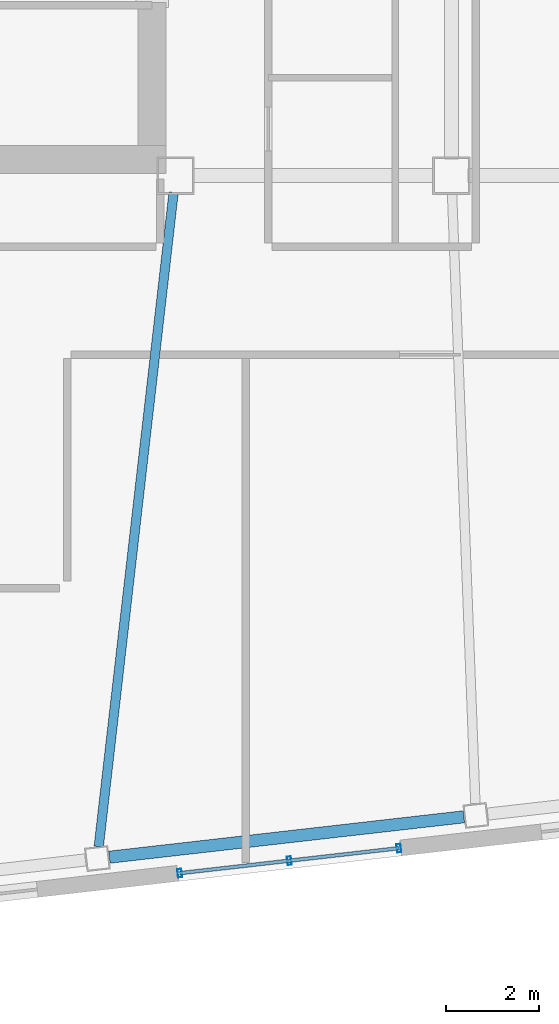
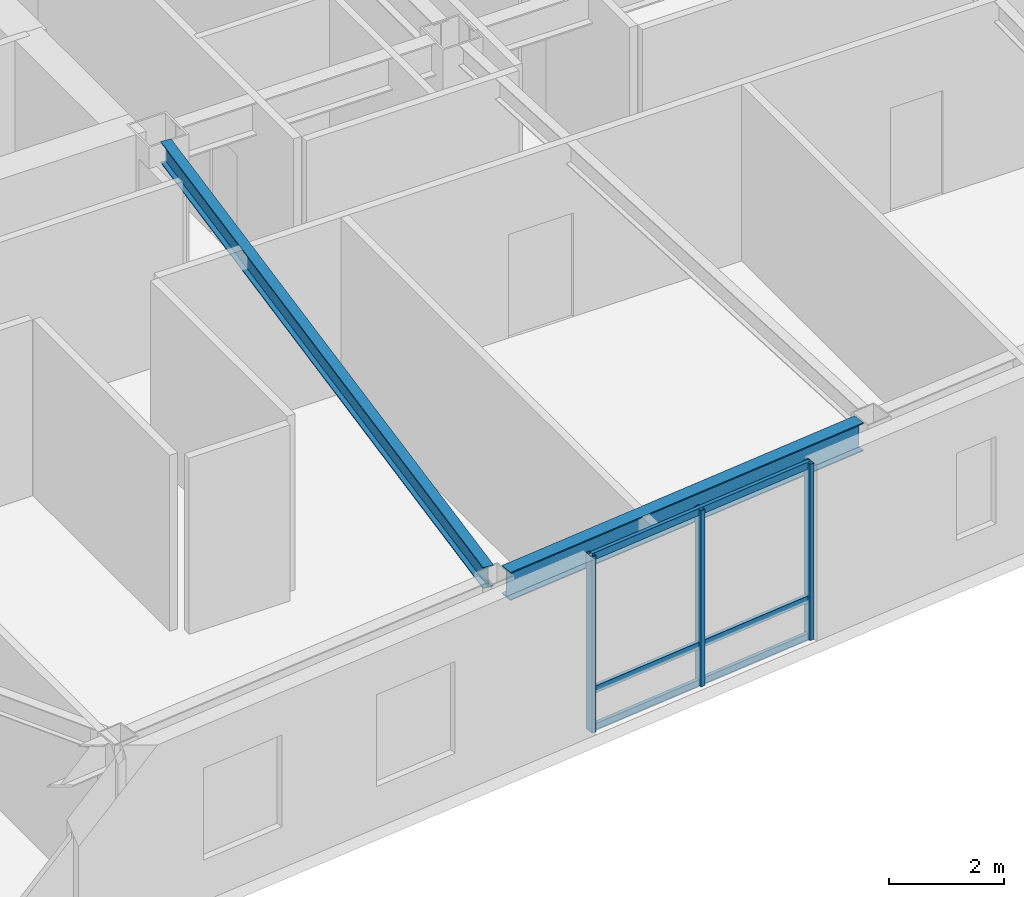
# One storey, part 4 of 20: 6 members, 2 beams, 1 element without a shape of its own.
"""IFC4 building model written with IfcOpenShell, lengths in metres."""

import ifcopenshell
import ifcopenshell.guid

model = None  # the IFC model being written
_history = None  # IfcOwnerHistory: only IFC2X3 demands one
_inside = {}  # id of a spatial element -> (the spatial element, [elements in it])
_under = {}  # id of a project, library or spatial element -> (it, [spatial elements below it])
_declared = {}  # id of a project -> (the project, [libraries it declares])
_typed = {}  # id of a type object -> (the type object, [elements of that type])
_made_of = {}  # id of a material, layer set ... -> (it, [elements and type objects made of it])


def new_model(schema):
    """Start an empty IFC model of exactly this schema.

    Asked for "IFC4X3", IfcOpenShell would pick the latest addendum, in which some entities
    have other attributes; the version numbers below select the first issue.
    IFC2X3 requires an IfcOwnerHistory on every rooted entity: one is made here for all.
    """
    global model, _history
    if schema == "IFC4X3":
        model = ifcopenshell.file(schema_version=(4, 3, 0, 0))
    else:
        model = ifcopenshell.file(schema=schema)
    _inside.clear()
    _under.clear()
    _declared.clear()
    _typed.clear()
    _made_of.clear()
    _history = None
    if model.schema == "IFC2X3":
        org = make("IfcOrganization", Name="unknown")
        user = make(
            "IfcPersonAndOrganization",
            ThePerson=make("IfcPerson", FamilyName="unknown"),
            TheOrganization=org,
        )
        app = make(
            "IfcApplication",
            ApplicationDeveloper=org,
            Version="unknown",
            ApplicationFullName="unknown",
            ApplicationIdentifier="unknown",
        )
        _history = make(
            "IfcOwnerHistory",
            OwningUser=user,
            OwningApplication=app,
            ChangeAction="ADDED",
            CreationDate=0,
        )
    return model


def make(cls, **values):
    """One entity of the class cls with the attributes given. An attribute that is None is left unset."""
    return model.create_entity(
        cls, **{name: value for name, value in values.items() if value is not None}
    )


def rooted(cls, **values):
    """An entity with a GlobalId (a new one), such as an element, a storey or a relation."""
    return make(cls, GlobalId=ifcopenshell.guid.new(), OwnerHistory=_history, **values)


def si_unit(unit_type, name, prefix=None):
    """IfcSIUnit, for example si_unit("LENGTHUNIT", "METRE", prefix="MILLI")."""
    return make("IfcSIUnit", UnitType=unit_type, Prefix=prefix, Name=name)


def assignment(units):
    """IfcUnitAssignment: the units of a project."""
    return None if units is None else make("IfcUnitAssignment", Units=units)


def point(xyz):
    """IfcCartesianPoint."""
    return None if xyz is None else make("IfcCartesianPoint", Coordinates=xyz)


def direction(xyz):
    """IfcDirection."""
    return None if xyz is None else make("IfcDirection", DirectionRatios=xyz)


def frame(location, z_axis=None, x_axis=None):
    """IfcAxis2Placement3D, a coordinate frame: its origin and axes. An axis left out is left unset."""
    return make(
        "IfcAxis2Placement3D",
        Location=point(location),
        Axis=direction(z_axis),
        RefDirection=direction(x_axis),
    )


def frame_2d(location, x_axis=None):
    """IfcAxis2Placement2D, a coordinate frame in the plane: its origin and x axis."""
    return make(
        "IfcAxis2Placement2D", Location=point(location), RefDirection=direction(x_axis)
    )


def origin():
    """The frame at (0, 0, 0) with its axes left unset."""
    return frame((0.0, 0.0, 0.0))


def origin_2d():
    """The frame at (0, 0) in the plane with its x axis left unset."""
    return frame_2d((0.0, 0.0))


def place(relative_to, where):
    """IfcLocalPlacement: puts the frame where relative to a parent placement (None: the world)."""
    return make(
        "IfcLocalPlacement", PlacementRelTo=relative_to, RelativePlacement=where
    )


def context(
    kind, dimensions, precision=None, world=None, true_north=None, identifier=None
):
    """IfcGeometricRepresentationContext, for example the 3D "Model" context."""
    return make(
        "IfcGeometricRepresentationContext",
        ContextIdentifier=identifier,
        ContextType=kind,
        CoordinateSpaceDimension=dimensions,
        Precision=precision,
        WorldCoordinateSystem=world,
        TrueNorth=true_north,
    )


def subcontext(parent, identifier, kind, view, scale=None):
    """IfcGeometricRepresentationSubContext, for example "Body" below "Model"."""
    return make(
        "IfcGeometricRepresentationSubContext",
        ContextIdentifier=identifier,
        ContextType=kind,
        ParentContext=parent,
        TargetScale=scale,
        TargetView=view,
    )


def project(units=None, contexts=None):
    """IfcProject with its units and contexts."""
    return rooted(
        "IfcProject",
        Name="project",
        RepresentationContexts=contexts,
        UnitsInContext=assignment(units),
    )


def spatial(cls, under=None, at=None, **own):
    """A site, building, storey or space (cls), placed at a placement, below another one or the project."""
    s = rooted(cls, ObjectPlacement=at, **own)
    if under is not None:
        _under.setdefault(under.id(), (under, []))[1].append(s)
    return s


def profile(cls, at=None, kind="AREA", **sizes):
    """A parametric profile (cls). Its sizes go by their IFC names, for example OverallWidth=200.0."""
    return make(cls, ProfileType=kind, Position=at, **sizes)


def hollow_rectangle(**sizes):
    """IfcRectangleHollowProfileDef."""
    return profile("IfcRectangleHollowProfileDef", **sizes)


def i_section(**sizes):
    """IfcIShapeProfileDef."""
    return profile("IfcIShapeProfileDef", **sizes)


def extrude(swept, where, along, depth):
    """IfcExtrudedAreaSolid: the profile swept, set in the frame where, extruded along a direction by depth."""
    return make(
        "IfcExtrudedAreaSolid",
        SweptArea=swept,
        Position=where,
        ExtrudedDirection=direction(along),
        Depth=depth,
    )


def shape(context_of_items, identifier, shape_type, items):
    """IfcShapeRepresentation: the items that make up one representation, for example the "Body"."""
    return make(
        "IfcShapeRepresentation",
        ContextOfItems=context_of_items,
        RepresentationIdentifier=identifier,
        RepresentationType=shape_type,
        Items=items,
    )


def material(Name=None, Category=None):
    """IfcMaterial."""
    return make("IfcMaterial", Name=Name, Category=Category)


def layer(
    of_material, thickness, ventilated=None, Name=None, Category=None, Priority=None
):
    """IfcMaterialLayer: one layer of a wall or slab, of a material (None: an air gap)."""
    return make(
        "IfcMaterialLayer",
        Material=of_material,
        LayerThickness=thickness,
        IsVentilated=ventilated,
        Name=Name,
        Category=Category,
        Priority=Priority,
    )


def layer_set(layers, Name=None):
    """IfcMaterialLayerSet."""
    return make("IfcMaterialLayerSet", MaterialLayers=layers, LayerSetName=Name)


def material_profile(
    of_material, cross_section, Name=None, Category=None, Priority=None
):
    """IfcMaterialProfile: a cross section and its material."""
    return make(
        "IfcMaterialProfile",
        Name=Name,
        Material=of_material,
        Profile=cross_section,
        Priority=Priority,
        Category=Category,
    )


def profile_set(profiles, Name=None, composite=None):
    """IfcMaterialProfileSet."""
    return make(
        "IfcMaterialProfileSet",
        Name=Name,
        MaterialProfiles=profiles,
        CompositeProfile=composite,
    )


def made_of(thing, what):
    """Note that an element or type object is made of a material, layer set ...; save() writes the relation."""
    if what is not None:
        _made_of.setdefault(what.id(), (what, []))[1].append(thing)
    return thing


def type_object(cls, material=None, **own):
    """A type object (cls), such as IfcWallType, which elements share."""
    return made_of(rooted(cls, **own), material)


def element(
    cls,
    number,
    at=None,
    inside=None,
    cuts=None,
    type_object=None,
    material=None,
    context=None,
    identifier="Body",
    shape_type=None,
    held_by="IfcProductDefinitionShape",
    body=None,
    shapes=None,
    **own,
):
    """One element of the class cls, such as IfcWall. Its Tag is "e" and its number.

    at: its placement. inside: the storey or other place that contains it. cuts: it is an
    opening in that element (IfcRelVoidsElement). A single representation is given by context,
    identifier, shape_type and body (its items); several are given by shapes. held_by: the class
    of the entity that holds the representations. save() writes the other relations.
    """
    e = rooted(cls, Tag="e%d" % number, ObjectPlacement=at, **own)
    if body is not None:
        shapes = [shape(context, identifier, shape_type, body)]
    if shapes is not None:
        e.Representation = make(held_by, Representations=shapes)
    if inside is not None:
        _inside.setdefault(inside.id(), (inside, []))[1].append(e)
    if cuts is not None:
        rooted(
            "IfcRelVoidsElement", RelatingBuildingElement=cuts, RelatedOpeningElement=e
        )
    if type_object is not None:
        _typed.setdefault(type_object.id(), (type_object, []))[1].append(e)
    return made_of(e, material)


def aggregate(whole, parts):
    """IfcRelAggregates: a whole, such as a stair, and the parts it consists of."""
    return rooted("IfcRelAggregates", RelatingObject=whole, RelatedObjects=parts)


def save(model, path):
    """Write the relations noted so far, then the file.

    IfcRelAggregates (storeys below a building ...), IfcRelContainedInSpatialStructure (elements
    in a storey), IfcRelDefinesByType, IfcRelAssociatesMaterial and IfcRelDeclares: one each for
    every whole, place, type object, material and project.
    """
    for whole, parts in _under.values():
        aggregate(whole, parts)
    for where, things in _inside.values():
        rooted(
            "IfcRelContainedInSpatialStructure",
            RelatedElements=things,
            RelatingStructure=where,
        )
    for kind, things in _typed.values():
        rooted("IfcRelDefinesByType", RelatedObjects=things, RelatingType=kind)
    for what, things in _made_of.values():
        rooted("IfcRelAssociatesMaterial", RelatedObjects=things, RelatingMaterial=what)
    for by, libraries in _declared.values():
        rooted("IfcRelDeclares", RelatingContext=by, RelatedDefinitions=libraries)
    model.write(path)


model = new_model("IFC4")

# Units and contexts
model_context = context("Model", 3, precision=1e-05, world=origin(), true_north=direction((0.0, 1.0)))
body_context = subcontext(model_context, "Body", "Model", "MODEL_VIEW")
ifc_project = project(units=[si_unit("LENGTHUNIT", "METRE"), si_unit("AREAUNIT", "SQUARE_METRE"), si_unit("VOLUMEUNIT", "CUBIC_METRE"), si_unit("PLANEANGLEUNIT", "RADIAN"), si_unit("MASSUNIT", "GRAM", prefix="KILO")], contexts=[model_context])

# Site, building, storey
site_placement = place(None, origin())
site = spatial("IfcSite", under=ifc_project, at=site_placement, CompositionType="ELEMENT")
building_placement = place(site_placement, origin())
building = spatial("IfcBuilding", under=site, at=building_placement, Name="Tavrogorsk Clinical Tower", CompositionType="ELEMENT")
storey_placement = place(building_placement, frame((0.0, 0.0, 251.0)))
storey = spatial("IfcBuildingStorey", under=building, at=storey_placement, Name="L58", CompositionType="ELEMENT", Elevation=251.0)

# Curtain wall, members
ifc_material_1 = material(Name="Anodised aluminium and triple IGU glazing", Category="aluminium")
ifc_layer = layer(ifc_material_1, 0.179931640625)
ifc_layer_set = layer_set([ifc_layer], Name="Anodised aluminium and triple IGU glazing")
curtain_wall_type = type_object("IfcCurtainWallType", Name="CW3_SouthSlot", PredefinedType="NOTDEFINED", material=ifc_layer_set)
curtain_wall_placement = place(storey_placement, origin())
curtain_wall = element("IfcCurtainWall", 1, at=curtain_wall_placement, inside=storey, type_object=curtain_wall_type, Name="L58 Curtain Wall CW-L58-S-SLOT-1", PredefinedType="NOTDEFINED")
ifc_material_2 = material(Name="Anodised aluminium alloy AW-6060", Category="aluminium")
ifc_material_profile_1 = material_profile(ifc_material_2, hollow_rectangle(XDim=0.090087890625, YDim=0.179931640625, WallThickness=0.00634765625, at=origin_2d()), Name="RHS-180x90x6.3")
ifc_profile_set_1 = profile_set([ifc_material_profile_1], Name="Anodised aluminium alloy AW-6060")
member_type_1 = type_object("IfcMemberType", Name="CwMullion_180x90", PredefinedType="MULLION", material=ifc_profile_set_1)
member_1_placement = place(storey_placement, frame((-10.21044921875, -21.270263671875, 0.0), z_axis=(0.0, 0.0, 1.0), x_axis=(0.993571855603, 0.11320321441, 0.0)))
member_1 = element("IfcMember", 2, at=member_1_placement, type_object=member_type_1, Name="CW-L58-S-SLOT-1 Mullion 1", PredefinedType="MULLION", context=body_context, shape_type="SweptSolid", body=[
    extrude(hollow_rectangle(XDim=0.090087890625, YDim=0.179931640625, WallThickness=0.00634765625, at=origin_2d()), origin(), (0.0, 0.0, 1.0), 3.739990234375),
])
member_2_placement = place(storey_placement, frame((-7.866455078125, -21.003173828125, 0.0), z_axis=(0.0, 0.0, 1.0), x_axis=(0.993571855603, 0.11320321441, 0.0)))
member_2 = element("IfcMember", 3, at=member_2_placement, type_object=member_type_1, Name="CW-L58-S-SLOT-1 Mullion 2", PredefinedType="MULLION", context=body_context, shape_type="SweptSolid", body=[
    extrude(hollow_rectangle(XDim=0.090087890625, YDim=0.179931640625, WallThickness=0.00634765625, at=origin_2d()), origin(), (0.0, 0.0, 1.0), 3.739990234375),
])
member_3_placement = place(storey_placement, frame((-5.522705078125, -20.736083984375, 0.0), z_axis=(0.0, 0.0, 1.0), x_axis=(0.993571855603, 0.11320321441, 0.0)))
member_3 = element("IfcMember", 4, at=member_3_placement, type_object=member_type_1, Name="CW-L58-S-SLOT-1 Mullion 3", PredefinedType="MULLION", context=body_context, shape_type="SweptSolid", body=[
    extrude(hollow_rectangle(XDim=0.090087890625, YDim=0.179931640625, WallThickness=0.00634765625, at=origin_2d()), origin(), (0.0, 0.0, 1.0), 3.739990234375),
])
ifc_material_3 = material(Name="Anodised aluminium alloy AW-6060", Category="aluminium")
ifc_material_profile_2 = material_profile(ifc_material_3, hollow_rectangle(XDim=0.074951171875, YDim=0.14990234375, WallThickness=0.0048828125, at=origin_2d()), Name="RHS-150x75x5")
ifc_profile_set_2 = profile_set([ifc_material_profile_2], Name="Anodised aluminium alloy AW-6060")
member_type_2 = type_object("IfcMemberType", Name="CwTransom_150x75", PredefinedType="USERDEFINED", material=ifc_profile_set_2)
member_4_placement = place(storey_placement, frame((-10.21044921875, -21.270263671875, 0.050048828125), z_axis=(0.993569979218, 0.113219682023, 0.0), x_axis=(-0.113219682023, 0.993569979218, 0.0)))
member_4 = element("IfcMember", 5, at=member_4_placement, type_object=member_type_2, Name="CW-L58-S-SLOT-1 Transom 1", ObjectType="TRANSOM", PredefinedType="USERDEFINED", context=body_context, shape_type="SweptSolid", body=[
    extrude(hollow_rectangle(XDim=0.074951171875, YDim=0.14990234375, WallThickness=0.0048828125, at=origin_2d()), origin(), (0.0, 0.0, 1.0), 4.718017578125),
])
member_5_placement = place(storey_placement, frame((-10.21044921875, -21.270263671875, 0.85009765625), z_axis=(0.993569979218, 0.113219682023, 0.0), x_axis=(-0.113219682023, 0.993569979218, 0.0)))
member_5 = element("IfcMember", 6, at=member_5_placement, type_object=member_type_2, Name="CW-L58-S-SLOT-1 Transom 2", ObjectType="TRANSOM", PredefinedType="USERDEFINED", context=body_context, shape_type="SweptSolid", body=[
    extrude(hollow_rectangle(XDim=0.074951171875, YDim=0.14990234375, WallThickness=0.0048828125, at=origin_2d()), origin(), (0.0, 0.0, 1.0), 4.718017578125),
])
member_6_placement = place(storey_placement, frame((-10.21044921875, -21.270263671875, 3.68994140625), z_axis=(0.993569979218, 0.113219682023, 0.0), x_axis=(-0.113219682023, 0.993569979218, 0.0)))
member_6 = element("IfcMember", 7, at=member_6_placement, type_object=member_type_2, Name="CW-L58-S-SLOT-1 Transom 3", ObjectType="TRANSOM", PredefinedType="USERDEFINED", context=body_context, shape_type="SweptSolid", body=[
    extrude(hollow_rectangle(XDim=0.074951171875, YDim=0.14990234375, WallThickness=0.0048828125, at=origin_2d()), origin(), (0.0, 0.0, 1.0), 4.718017578125),
])
aggregate(curtain_wall, [member_1, member_2, member_3, member_4, member_5, member_6])

# Beams
ifc_material_4 = material(Name="Structural steel S355", Category="steel")
ifc_material_profile_3 = material_profile(ifc_material_4, i_section(OverallWidth=0.199951171875, OverallDepth=0.449951171875, WebThickness=0.011474609375, FlangeThickness=0.01806640625, at=origin_2d()), Name="B-450x200x11.5x18")
ifc_profile_set_3 = profile_set([ifc_material_profile_3], Name="Structural steel S355")
beam_type_1 = type_object("IfcBeamType", Name="FloorBeam_B450", PredefinedType="BEAM", material=ifc_profile_set_3)
beam_1_placement = place(storey_placement, frame((-10.341064453125, -6.707763671875, 3.514892578125), z_axis=(-0.113743110947, -0.993510193562, 0.0), x_axis=(0.993510193562, -0.113743110947, 0.0)))
element("IfcBeam", 8, at=beam_1_placement, inside=storey, type_object=beam_type_1, Name="L58 Radial Floor Beam S3", PredefinedType="BEAM", context=body_context, shape_type="SweptSolid", body=[
    extrude(i_section(OverallWidth=0.199951171875, OverallDepth=0.449951171875, WebThickness=0.011474609375, FlangeThickness=0.01806640625, at=origin_2d()), origin(), (0.0, 0.0, 1.0), 14.084716796875),
])
ifc_material_5 = material(Name="Structural steel S390", Category="steel")
ifc_material_profile_4 = material_profile(ifc_material_5, i_section(OverallWidth=0.260009765625, OverallDepth=0.60009765625, WebThickness=0.014892578125, FlangeThickness=0.02392578125, at=origin_2d()), Name="B-600x260x15x24")
ifc_profile_set_4 = profile_set([ifc_material_profile_4], Name="Structural steel S390")
beam_type_2 = type_object("IfcBeamType", Name="SpandrelBeam_B600", PredefinedType="SPANDREL", material=ifc_profile_set_4)
beam_2_placement = place(storey_placement, frame((-11.716064453125, -20.928466796875, 3.43994140625), z_axis=(0.993572509708, 0.113197473259, 0.0), x_axis=(-0.113197473259, 0.993572509708, 0.0)))
element("IfcBeam", 9, at=beam_2_placement, inside=storey, type_object=beam_type_2, Name="L58 Perimeter Spandrel S3-S4", PredefinedType="SPANDREL", context=body_context, shape_type="SweptSolid", body=[
    extrude(i_section(OverallWidth=0.260009765625, OverallDepth=0.60009765625, WebThickness=0.014892578125, FlangeThickness=0.02392578125, at=origin_2d()), origin(), (0.0, 0.0, 1.0), 7.6328125),
])

save(model, "model.ifc")
